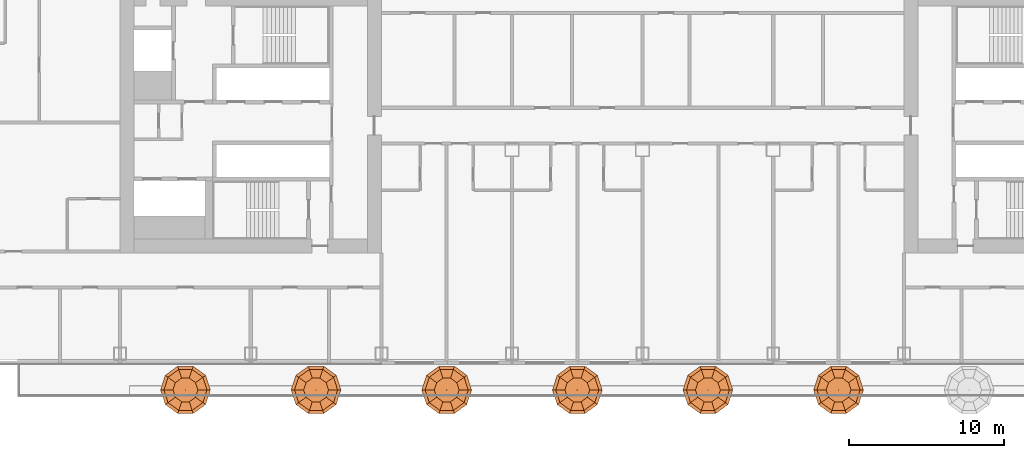
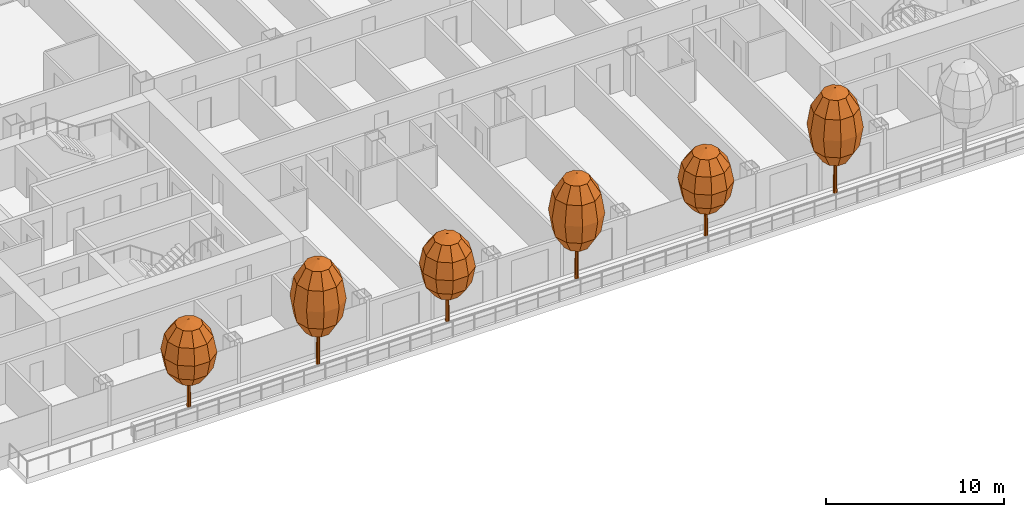
# One storey, part 32 of 34: 6 geographic elements.
"""IFC4 building model written with IfcOpenShell, lengths in metres."""

from ifc_helpers import new_model, si_unit, direction, frame, origin, place, context, subcontext, project, spatial, triangles, material, type_object, element, save


model = new_model("IFC4")

# Units and contexts
model_context = context("Model", 3, precision=1e-05, world=origin(), true_north=direction((0.0, 1.0)))
body_context = subcontext(model_context, "Body", "Model", "MODEL_VIEW")
ifc_project = project(units=[si_unit("LENGTHUNIT", "METRE"), si_unit("AREAUNIT", "SQUARE_METRE"), si_unit("VOLUMEUNIT", "CUBIC_METRE"), si_unit("PLANEANGLEUNIT", "RADIAN"), si_unit("MASSUNIT", "GRAM", prefix="KILO")], contexts=[model_context])

# Site, building, storey
site_placement = place(None, origin())
site = spatial("IfcSite", under=ifc_project, at=site_placement, CompositionType="ELEMENT")
building_placement = place(site_placement, origin())
building = spatial("IfcBuilding", under=site, at=building_placement, Name="Hakoniwa Tower and Hamabe Station Hall", CompositionType="ELEMENT")
storey_placement = place(building_placement, frame((0.0, 0.0, 94.60009765625)))
storey = spatial("IfcBuildingStorey", under=building, at=storey_placement, Name="L26", CompositionType="ELEMENT", Elevation=94.60009765625)

# Geographic elements
ifc_material_1 = material(Name="Tree foliage")
geographic_element_type_1 = type_object("IfcGeographicElementType", Name="Japanese maple 7.2 m", PredefinedType="USERDEFINED", material=ifc_material_1)
geographic_element_1_placement = place(storey_placement, frame((-21.0, -17.199951171875, 0.89990234375)))
element("IfcGeographicElement", 1, at=geographic_element_1_placement, inside=storey, type_object=geographic_element_type_1, Name="Japanese maple 7-2 m", ObjectType="TREE", PredefinedType="USERDEFINED", context=body_context, shape_type="Tessellation", body=[
    triangles([(0.125, 0.0, 0.0), (0.08837890625, 0.08837890625, 0.0), (0.0, 0.125, 0.0), (-0.08837890625, 0.08837890625, 0.0), (-0.125, 0.0, 0.0), (-0.08837890625, -0.08837890625, 0.0), (0.0, -0.125, 0.0), (0.08837890625, -0.08837890625, 0.0), (0.074951171875, 0.0, 4.348876953125), (0.052978515625, 0.052978515625, 4.348876953125), (0.0, 0.074951171875, 4.348876953125), (-0.052978515625, 0.052978515625, 4.348876953125), (-0.074951171875, 0.0, 4.348876953125), (-0.052978515625, -0.052978515625, 4.348876953125), (0.0, -0.074951171875, 4.348876953125), (0.052978515625, -0.052978515625, 4.348876953125), (0.0, 0.0, 0.0), (0.0, 0.0, 4.348876953125)], [[1, 2, 10], [1, 10, 9], [17, 2, 1], [18, 9, 10], [2, 3, 11], [2, 11, 10], [17, 3, 2], [18, 10, 11], [3, 4, 12], [3, 12, 11], [17, 4, 3], [18, 11, 12], [4, 5, 13], [4, 13, 12], [17, 5, 4], [18, 12, 13], [5, 6, 14], [5, 14, 13], [17, 6, 5], [18, 13, 14], [6, 7, 15], [6, 15, 14], [17, 7, 6], [18, 14, 15], [7, 8, 16], [7, 16, 15], [17, 8, 7], [18, 15, 16], [8, 1, 9], [8, 9, 16], [17, 1, 8], [18, 16, 9]], closed=True),
    triangles([(0.0, 0.0, 2.015869140625), (0.800048828125, 0.0, 2.36328125), (0.647216796875, 0.47021484375, 2.36328125), (0.247314453125, 0.7607421875, 2.36328125), (-0.247314453125, 0.7607421875, 2.36328125), (-0.647216796875, 0.47021484375, 2.36328125), (-0.800048828125, 0.0, 2.36328125), (-0.647216796875, -0.47021484375, 2.36328125), (-0.247314453125, -0.7607421875, 2.36328125), (0.247314453125, -0.7607421875, 2.36328125), (0.647216796875, -0.47021484375, 2.36328125), (1.385498046875, 0.0, 3.31201171875), (1.12109375, 0.814453125, 3.31201171875), (0.42822265625, 1.31787109375, 3.31201171875), (-0.42822265625, 1.31787109375, 3.31201171875), (-1.12109375, 0.814453125, 3.31201171875), (-1.385498046875, 0.0, 3.31201171875), (-1.12109375, -0.814453125, 3.31201171875), (-0.42822265625, -1.31787109375, 3.31201171875), (0.42822265625, -1.31787109375, 3.31201171875), (1.12109375, -0.814453125, 3.31201171875), (1.60009765625, 0.0, 4.60791015625), (1.29443359375, 0.9404296875, 4.60791015625), (0.494384765625, 1.521728515625, 4.60791015625), (-0.494384765625, 1.521728515625, 4.60791015625), (-1.29443359375, 0.9404296875, 4.60791015625), (-1.60009765625, 0.0, 4.60791015625), (-1.29443359375, -0.9404296875, 4.60791015625), (-0.494384765625, -1.521728515625, 4.60791015625), (0.494384765625, -1.521728515625, 4.60791015625), (1.29443359375, -0.9404296875, 4.60791015625), (1.385498046875, 0.0, 5.904052734375), (1.12109375, 0.814453125, 5.904052734375), (0.42822265625, 1.31787109375, 5.904052734375), (-0.42822265625, 1.31787109375, 5.904052734375), (-1.12109375, 0.814453125, 5.904052734375), (-1.385498046875, 0.0, 5.904052734375), (-1.12109375, -0.814453125, 5.904052734375), (-0.42822265625, -1.31787109375, 5.904052734375), (0.42822265625, -1.31787109375, 5.904052734375), (1.12109375, -0.814453125, 5.904052734375), (0.800048828125, 0.0, 6.852783203125), (0.647216796875, 0.47021484375, 6.852783203125), (0.247314453125, 0.7607421875, 6.852783203125), (-0.247314453125, 0.7607421875, 6.852783203125), (-0.647216796875, 0.47021484375, 6.852783203125), (-0.800048828125, 0.0, 6.852783203125), (-0.647216796875, -0.47021484375, 6.852783203125), (-0.247314453125, -0.7607421875, 6.852783203125), (0.247314453125, -0.7607421875, 6.852783203125), (0.647216796875, -0.47021484375, 6.852783203125), (0.0, 0.0, 7.199951171875)], [[1, 3, 2], [1, 4, 3], [1, 5, 4], [1, 6, 5], [1, 7, 6], [1, 8, 7], [1, 9, 8], [1, 10, 9], [1, 11, 10], [1, 2, 11], [2, 3, 13], [2, 13, 12], [3, 4, 14], [3, 14, 13], [4, 5, 15], [4, 15, 14], [5, 6, 16], [5, 16, 15], [6, 7, 17], [6, 17, 16], [7, 8, 18], [7, 18, 17], [8, 9, 19], [8, 19, 18], [9, 10, 20], [9, 20, 19], [10, 11, 21], [10, 21, 20], [11, 2, 12], [11, 12, 21], [12, 13, 23], [12, 23, 22], [13, 14, 24], [13, 24, 23], [14, 15, 25], [14, 25, 24], [15, 16, 26], [15, 26, 25], [16, 17, 27], [16, 27, 26], [17, 18, 28], [17, 28, 27], [18, 19, 29], [18, 29, 28], [19, 20, 30], [19, 30, 29], [20, 21, 31], [20, 31, 30], [21, 12, 22], [21, 22, 31], [22, 23, 33], [22, 33, 32], [23, 24, 34], [23, 34, 33], [24, 25, 35], [24, 35, 34], [25, 26, 36], [25, 36, 35], [26, 27, 37], [26, 37, 36], [27, 28, 38], [27, 38, 37], [28, 29, 39], [28, 39, 38], [29, 30, 40], [29, 40, 39], [30, 31, 41], [30, 41, 40], [31, 22, 32], [31, 32, 41], [32, 33, 43], [32, 43, 42], [33, 34, 44], [33, 44, 43], [34, 35, 45], [34, 45, 44], [35, 36, 46], [35, 46, 45], [36, 37, 47], [36, 47, 46], [37, 38, 48], [37, 48, 47], [38, 39, 49], [38, 49, 48], [39, 40, 50], [39, 50, 49], [40, 41, 51], [40, 51, 50], [41, 32, 42], [41, 42, 51], [52, 42, 43], [52, 43, 44], [52, 44, 45], [52, 45, 46], [52, 46, 47], [52, 47, 48], [52, 48, 49], [52, 49, 50], [52, 50, 51], [52, 51, 42]], closed=True),
])
geographic_element_2_placement = place(storey_placement, frame((-4.199951171875, -17.199951171875, 0.89990234375)))
element("IfcGeographicElement", 2, at=geographic_element_2_placement, inside=storey, type_object=geographic_element_type_1, Name="Japanese maple 7-2 m", ObjectType="TREE", PredefinedType="USERDEFINED", context=body_context, shape_type="Tessellation", body=[
    triangles([(0.125, 0.0, 0.0), (0.08837890625, 0.08837890625, 0.0), (0.0, 0.125, 0.0), (-0.08837890625, 0.08837890625, 0.0), (-0.125, 0.0, 0.0), (-0.08837890625, -0.08837890625, 0.0), (0.0, -0.125, 0.0), (0.08837890625, -0.08837890625, 0.0), (0.074951171875, 0.0, 4.348876953125), (0.052978515625, 0.052978515625, 4.348876953125), (0.0, 0.074951171875, 4.348876953125), (-0.052978515625, 0.052978515625, 4.348876953125), (-0.074951171875, 0.0, 4.348876953125), (-0.052978515625, -0.052978515625, 4.348876953125), (0.0, -0.074951171875, 4.348876953125), (0.052978515625, -0.052978515625, 4.348876953125), (0.0, 0.0, 0.0), (0.0, 0.0, 4.348876953125)], [[1, 2, 10], [1, 10, 9], [17, 2, 1], [18, 9, 10], [2, 3, 11], [2, 11, 10], [17, 3, 2], [18, 10, 11], [3, 4, 12], [3, 12, 11], [17, 4, 3], [18, 11, 12], [4, 5, 13], [4, 13, 12], [17, 5, 4], [18, 12, 13], [5, 6, 14], [5, 14, 13], [17, 6, 5], [18, 13, 14], [6, 7, 15], [6, 15, 14], [17, 7, 6], [18, 14, 15], [7, 8, 16], [7, 16, 15], [17, 8, 7], [18, 15, 16], [8, 1, 9], [8, 9, 16], [17, 1, 8], [18, 16, 9]], closed=True),
    triangles([(0.0, 0.0, 2.015869140625), (0.800048828125, 0.0, 2.36328125), (0.647216796875, 0.47021484375, 2.36328125), (0.247314453125, 0.7607421875, 2.36328125), (-0.247314453125, 0.7607421875, 2.36328125), (-0.647216796875, 0.47021484375, 2.36328125), (-0.800048828125, 0.0, 2.36328125), (-0.647216796875, -0.47021484375, 2.36328125), (-0.247314453125, -0.7607421875, 2.36328125), (0.247314453125, -0.7607421875, 2.36328125), (0.647216796875, -0.47021484375, 2.36328125), (1.385498046875, 0.0, 3.31201171875), (1.12109375, 0.814453125, 3.31201171875), (0.42822265625, 1.31787109375, 3.31201171875), (-0.42822265625, 1.31787109375, 3.31201171875), (-1.12109375, 0.814453125, 3.31201171875), (-1.385498046875, 0.0, 3.31201171875), (-1.12109375, -0.814453125, 3.31201171875), (-0.42822265625, -1.31787109375, 3.31201171875), (0.42822265625, -1.31787109375, 3.31201171875), (1.12109375, -0.814453125, 3.31201171875), (1.60009765625, 0.0, 4.60791015625), (1.29443359375, 0.9404296875, 4.60791015625), (0.494384765625, 1.521728515625, 4.60791015625), (-0.494384765625, 1.521728515625, 4.60791015625), (-1.29443359375, 0.9404296875, 4.60791015625), (-1.60009765625, 0.0, 4.60791015625), (-1.29443359375, -0.9404296875, 4.60791015625), (-0.494384765625, -1.521728515625, 4.60791015625), (0.494384765625, -1.521728515625, 4.60791015625), (1.29443359375, -0.9404296875, 4.60791015625), (1.385498046875, 0.0, 5.904052734375), (1.12109375, 0.814453125, 5.904052734375), (0.42822265625, 1.31787109375, 5.904052734375), (-0.42822265625, 1.31787109375, 5.904052734375), (-1.12109375, 0.814453125, 5.904052734375), (-1.385498046875, 0.0, 5.904052734375), (-1.12109375, -0.814453125, 5.904052734375), (-0.42822265625, -1.31787109375, 5.904052734375), (0.42822265625, -1.31787109375, 5.904052734375), (1.12109375, -0.814453125, 5.904052734375), (0.800048828125, 0.0, 6.852783203125), (0.647216796875, 0.47021484375, 6.852783203125), (0.247314453125, 0.7607421875, 6.852783203125), (-0.247314453125, 0.7607421875, 6.852783203125), (-0.647216796875, 0.47021484375, 6.852783203125), (-0.800048828125, 0.0, 6.852783203125), (-0.647216796875, -0.47021484375, 6.852783203125), (-0.247314453125, -0.7607421875, 6.852783203125), (0.247314453125, -0.7607421875, 6.852783203125), (0.647216796875, -0.47021484375, 6.852783203125), (0.0, 0.0, 7.199951171875)], [[1, 3, 2], [1, 4, 3], [1, 5, 4], [1, 6, 5], [1, 7, 6], [1, 8, 7], [1, 9, 8], [1, 10, 9], [1, 11, 10], [1, 2, 11], [2, 3, 13], [2, 13, 12], [3, 4, 14], [3, 14, 13], [4, 5, 15], [4, 15, 14], [5, 6, 16], [5, 16, 15], [6, 7, 17], [6, 17, 16], [7, 8, 18], [7, 18, 17], [8, 9, 19], [8, 19, 18], [9, 10, 20], [9, 20, 19], [10, 11, 21], [10, 21, 20], [11, 2, 12], [11, 12, 21], [12, 13, 23], [12, 23, 22], [13, 14, 24], [13, 24, 23], [14, 15, 25], [14, 25, 24], [15, 16, 26], [15, 26, 25], [16, 17, 27], [16, 27, 26], [17, 18, 28], [17, 28, 27], [18, 19, 29], [18, 29, 28], [19, 20, 30], [19, 30, 29], [20, 21, 31], [20, 31, 30], [21, 12, 22], [21, 22, 31], [22, 23, 33], [22, 33, 32], [23, 24, 34], [23, 34, 33], [24, 25, 35], [24, 35, 34], [25, 26, 36], [25, 36, 35], [26, 27, 37], [26, 37, 36], [27, 28, 38], [27, 38, 37], [28, 29, 39], [28, 39, 38], [29, 30, 40], [29, 40, 39], [30, 31, 41], [30, 41, 40], [31, 22, 32], [31, 32, 41], [32, 33, 43], [32, 43, 42], [33, 34, 44], [33, 44, 43], [34, 35, 45], [34, 45, 44], [35, 36, 46], [35, 46, 45], [36, 37, 47], [36, 47, 46], [37, 38, 48], [37, 48, 47], [38, 39, 49], [38, 49, 48], [39, 40, 50], [39, 50, 49], [40, 41, 51], [40, 51, 50], [41, 32, 42], [41, 42, 51], [52, 42, 43], [52, 43, 44], [52, 44, 45], [52, 45, 46], [52, 46, 47], [52, 47, 48], [52, 48, 49], [52, 49, 50], [52, 50, 51], [52, 51, 42]], closed=True),
])
geographic_element_3_placement = place(storey_placement, frame((12.60009765625, -17.199951171875, 0.89990234375)))
element("IfcGeographicElement", 3, at=geographic_element_3_placement, inside=storey, type_object=geographic_element_type_1, Name="Japanese maple 7-2 m", ObjectType="TREE", PredefinedType="USERDEFINED", context=body_context, shape_type="Tessellation", body=[
    triangles([(0.125, 0.0, 0.0), (0.08837890625, 0.08837890625, 0.0), (0.0, 0.125, 0.0), (-0.08837890625, 0.08837890625, 0.0), (-0.125, 0.0, 0.0), (-0.08837890625, -0.08837890625, 0.0), (0.0, -0.125, 0.0), (0.08837890625, -0.08837890625, 0.0), (0.074951171875, 0.0, 4.348876953125), (0.052978515625, 0.052978515625, 4.348876953125), (0.0, 0.074951171875, 4.348876953125), (-0.052978515625, 0.052978515625, 4.348876953125), (-0.074951171875, 0.0, 4.348876953125), (-0.052978515625, -0.052978515625, 4.348876953125), (0.0, -0.074951171875, 4.348876953125), (0.052978515625, -0.052978515625, 4.348876953125), (0.0, 0.0, 0.0), (0.0, 0.0, 4.348876953125)], [[1, 2, 10], [1, 10, 9], [17, 2, 1], [18, 9, 10], [2, 3, 11], [2, 11, 10], [17, 3, 2], [18, 10, 11], [3, 4, 12], [3, 12, 11], [17, 4, 3], [18, 11, 12], [4, 5, 13], [4, 13, 12], [17, 5, 4], [18, 12, 13], [5, 6, 14], [5, 14, 13], [17, 6, 5], [18, 13, 14], [6, 7, 15], [6, 15, 14], [17, 7, 6], [18, 14, 15], [7, 8, 16], [7, 16, 15], [17, 8, 7], [18, 15, 16], [8, 1, 9], [8, 9, 16], [17, 1, 8], [18, 16, 9]], closed=True),
    triangles([(0.0, 0.0, 2.015869140625), (0.800048828125, 0.0, 2.36328125), (0.647216796875, 0.47021484375, 2.36328125), (0.247314453125, 0.7607421875, 2.36328125), (-0.247314453125, 0.7607421875, 2.36328125), (-0.647216796875, 0.47021484375, 2.36328125), (-0.800048828125, 0.0, 2.36328125), (-0.647216796875, -0.47021484375, 2.36328125), (-0.247314453125, -0.7607421875, 2.36328125), (0.247314453125, -0.7607421875, 2.36328125), (0.647216796875, -0.47021484375, 2.36328125), (1.385498046875, 0.0, 3.31201171875), (1.12109375, 0.814453125, 3.31201171875), (0.42822265625, 1.31787109375, 3.31201171875), (-0.42822265625, 1.31787109375, 3.31201171875), (-1.12109375, 0.814453125, 3.31201171875), (-1.385498046875, 0.0, 3.31201171875), (-1.12109375, -0.814453125, 3.31201171875), (-0.42822265625, -1.31787109375, 3.31201171875), (0.42822265625, -1.31787109375, 3.31201171875), (1.12109375, -0.814453125, 3.31201171875), (1.60009765625, 0.0, 4.60791015625), (1.29443359375, 0.9404296875, 4.60791015625), (0.494384765625, 1.521728515625, 4.60791015625), (-0.494384765625, 1.521728515625, 4.60791015625), (-1.29443359375, 0.9404296875, 4.60791015625), (-1.60009765625, 0.0, 4.60791015625), (-1.29443359375, -0.9404296875, 4.60791015625), (-0.494384765625, -1.521728515625, 4.60791015625), (0.494384765625, -1.521728515625, 4.60791015625), (1.29443359375, -0.9404296875, 4.60791015625), (1.385498046875, 0.0, 5.904052734375), (1.12109375, 0.814453125, 5.904052734375), (0.42822265625, 1.31787109375, 5.904052734375), (-0.42822265625, 1.31787109375, 5.904052734375), (-1.12109375, 0.814453125, 5.904052734375), (-1.385498046875, 0.0, 5.904052734375), (-1.12109375, -0.814453125, 5.904052734375), (-0.42822265625, -1.31787109375, 5.904052734375), (0.42822265625, -1.31787109375, 5.904052734375), (1.12109375, -0.814453125, 5.904052734375), (0.800048828125, 0.0, 6.852783203125), (0.647216796875, 0.47021484375, 6.852783203125), (0.247314453125, 0.7607421875, 6.852783203125), (-0.247314453125, 0.7607421875, 6.852783203125), (-0.647216796875, 0.47021484375, 6.852783203125), (-0.800048828125, 0.0, 6.852783203125), (-0.647216796875, -0.47021484375, 6.852783203125), (-0.247314453125, -0.7607421875, 6.852783203125), (0.247314453125, -0.7607421875, 6.852783203125), (0.647216796875, -0.47021484375, 6.852783203125), (0.0, 0.0, 7.199951171875)], [[1, 3, 2], [1, 4, 3], [1, 5, 4], [1, 6, 5], [1, 7, 6], [1, 8, 7], [1, 9, 8], [1, 10, 9], [1, 11, 10], [1, 2, 11], [2, 3, 13], [2, 13, 12], [3, 4, 14], [3, 14, 13], [4, 5, 15], [4, 15, 14], [5, 6, 16], [5, 16, 15], [6, 7, 17], [6, 17, 16], [7, 8, 18], [7, 18, 17], [8, 9, 19], [8, 19, 18], [9, 10, 20], [9, 20, 19], [10, 11, 21], [10, 21, 20], [11, 2, 12], [11, 12, 21], [12, 13, 23], [12, 23, 22], [13, 14, 24], [13, 24, 23], [14, 15, 25], [14, 25, 24], [15, 16, 26], [15, 26, 25], [16, 17, 27], [16, 27, 26], [17, 18, 28], [17, 28, 27], [18, 19, 29], [18, 29, 28], [19, 20, 30], [19, 30, 29], [20, 21, 31], [20, 31, 30], [21, 12, 22], [21, 22, 31], [22, 23, 33], [22, 33, 32], [23, 24, 34], [23, 34, 33], [24, 25, 35], [24, 35, 34], [25, 26, 36], [25, 36, 35], [26, 27, 37], [26, 37, 36], [27, 28, 38], [27, 38, 37], [28, 29, 39], [28, 39, 38], [29, 30, 40], [29, 40, 39], [30, 31, 41], [30, 41, 40], [31, 22, 32], [31, 32, 41], [32, 33, 43], [32, 43, 42], [33, 34, 44], [33, 44, 43], [34, 35, 45], [34, 45, 44], [35, 36, 46], [35, 46, 45], [36, 37, 47], [36, 47, 46], [37, 38, 48], [37, 48, 47], [38, 39, 49], [38, 49, 48], [39, 40, 50], [39, 50, 49], [40, 41, 51], [40, 51, 50], [41, 32, 42], [41, 42, 51], [52, 42, 43], [52, 43, 44], [52, 44, 45], [52, 45, 46], [52, 46, 47], [52, 47, 48], [52, 48, 49], [52, 49, 50], [52, 50, 51], [52, 51, 42]], closed=True),
])
ifc_material_2 = material(Name="Tree foliage")
geographic_element_type_2 = type_object("IfcGeographicElementType", Name="Osmanthus 6.0 m", PredefinedType="USERDEFINED", material=ifc_material_2)
geographic_element_4_placement = place(storey_placement, frame((-29.39990234375, -17.199951171875, 0.89990234375)))
element("IfcGeographicElement", 4, at=geographic_element_4_placement, inside=storey, type_object=geographic_element_type_2, Name="Osmanthus 6-0 m", ObjectType="TREE", PredefinedType="USERDEFINED", context=body_context, shape_type="Tessellation", body=[
    triangles([(0.125, 0.0, 0.0), (0.08837890625, 0.08837890625, 0.0), (0.0, 0.125, 0.0), (-0.08837890625, 0.08837890625, 0.0), (-0.125, 0.0, 0.0), (-0.08837890625, -0.08837890625, 0.0), (0.0, -0.125, 0.0), (0.08837890625, -0.08837890625, 0.0), (0.074951171875, 0.0, 3.6240234375), (0.052978515625, 0.052978515625, 3.6240234375), (0.0, 0.074951171875, 3.6240234375), (-0.052978515625, 0.052978515625, 3.6240234375), (-0.074951171875, 0.0, 3.6240234375), (-0.052978515625, -0.052978515625, 3.6240234375), (0.0, -0.074951171875, 3.6240234375), (0.052978515625, -0.052978515625, 3.6240234375), (0.0, 0.0, 0.0), (0.0, 0.0, 3.6240234375)], [[1, 2, 10], [1, 10, 9], [17, 2, 1], [18, 9, 10], [2, 3, 11], [2, 11, 10], [17, 3, 2], [18, 10, 11], [3, 4, 12], [3, 12, 11], [17, 4, 3], [18, 11, 12], [4, 5, 13], [4, 13, 12], [17, 5, 4], [18, 12, 13], [5, 6, 14], [5, 14, 13], [17, 6, 5], [18, 13, 14], [6, 7, 15], [6, 15, 14], [17, 7, 6], [18, 14, 15], [7, 8, 16], [7, 16, 15], [17, 8, 7], [18, 15, 16], [8, 1, 9], [8, 9, 16], [17, 1, 8], [18, 16, 9]], closed=True),
    triangles([(0.0, 0.0, 1.679931640625), (0.800048828125, 0.0, 1.969482421875), (0.647216796875, 0.47021484375, 1.969482421875), (0.247314453125, 0.7607421875, 1.969482421875), (-0.247314453125, 0.7607421875, 1.969482421875), (-0.647216796875, 0.47021484375, 1.969482421875), (-0.800048828125, 0.0, 1.969482421875), (-0.647216796875, -0.47021484375, 1.969482421875), (-0.247314453125, -0.7607421875, 1.969482421875), (0.247314453125, -0.7607421875, 1.969482421875), (0.647216796875, -0.47021484375, 1.969482421875), (1.385498046875, 0.0, 2.760009765625), (1.12109375, 0.814453125, 2.760009765625), (0.42822265625, 1.31787109375, 2.760009765625), (-0.42822265625, 1.31787109375, 2.760009765625), (-1.12109375, 0.814453125, 2.760009765625), (-1.385498046875, 0.0, 2.760009765625), (-1.12109375, -0.814453125, 2.760009765625), (-0.42822265625, -1.31787109375, 2.760009765625), (0.42822265625, -1.31787109375, 2.760009765625), (1.12109375, -0.814453125, 2.760009765625), (1.60009765625, 0.0, 3.840087890625), (1.29443359375, 0.9404296875, 3.840087890625), (0.494384765625, 1.521728515625, 3.840087890625), (-0.494384765625, 1.521728515625, 3.840087890625), (-1.29443359375, 0.9404296875, 3.840087890625), (-1.60009765625, 0.0, 3.840087890625), (-1.29443359375, -0.9404296875, 3.840087890625), (-0.494384765625, -1.521728515625, 3.840087890625), (0.494384765625, -1.521728515625, 3.840087890625), (1.29443359375, -0.9404296875, 3.840087890625), (1.385498046875, 0.0, 4.919921875), (1.12109375, 0.814453125, 4.919921875), (0.42822265625, 1.31787109375, 4.919921875), (-0.42822265625, 1.31787109375, 4.919921875), (-1.12109375, 0.814453125, 4.919921875), (-1.385498046875, 0.0, 4.919921875), (-1.12109375, -0.814453125, 4.919921875), (-0.42822265625, -1.31787109375, 4.919921875), (0.42822265625, -1.31787109375, 4.919921875), (1.12109375, -0.814453125, 4.919921875), (0.800048828125, 0.0, 5.710693359375), (0.647216796875, 0.47021484375, 5.710693359375), (0.247314453125, 0.7607421875, 5.710693359375), (-0.247314453125, 0.7607421875, 5.710693359375), (-0.647216796875, 0.47021484375, 5.710693359375), (-0.800048828125, 0.0, 5.710693359375), (-0.647216796875, -0.47021484375, 5.710693359375), (-0.247314453125, -0.7607421875, 5.710693359375), (0.247314453125, -0.7607421875, 5.710693359375), (0.647216796875, -0.47021484375, 5.710693359375), (0.0, 0.0, 6.0)], [[1, 3, 2], [1, 4, 3], [1, 5, 4], [1, 6, 5], [1, 7, 6], [1, 8, 7], [1, 9, 8], [1, 10, 9], [1, 11, 10], [1, 2, 11], [2, 3, 13], [2, 13, 12], [3, 4, 14], [3, 14, 13], [4, 5, 15], [4, 15, 14], [5, 6, 16], [5, 16, 15], [6, 7, 17], [6, 17, 16], [7, 8, 18], [7, 18, 17], [8, 9, 19], [8, 19, 18], [9, 10, 20], [9, 20, 19], [10, 11, 21], [10, 21, 20], [11, 2, 12], [11, 12, 21], [12, 13, 23], [12, 23, 22], [13, 14, 24], [13, 24, 23], [14, 15, 25], [14, 25, 24], [15, 16, 26], [15, 26, 25], [16, 17, 27], [16, 27, 26], [17, 18, 28], [17, 28, 27], [18, 19, 29], [18, 29, 28], [19, 20, 30], [19, 30, 29], [20, 21, 31], [20, 31, 30], [21, 12, 22], [21, 22, 31], [22, 23, 33], [22, 33, 32], [23, 24, 34], [23, 34, 33], [24, 25, 35], [24, 35, 34], [25, 26, 36], [25, 36, 35], [26, 27, 37], [26, 37, 36], [27, 28, 38], [27, 38, 37], [28, 29, 39], [28, 39, 38], [29, 30, 40], [29, 40, 39], [30, 31, 41], [30, 41, 40], [31, 22, 32], [31, 32, 41], [32, 33, 43], [32, 43, 42], [33, 34, 44], [33, 44, 43], [34, 35, 45], [34, 45, 44], [35, 36, 46], [35, 46, 45], [36, 37, 47], [36, 47, 46], [37, 38, 48], [37, 48, 47], [38, 39, 49], [38, 49, 48], [39, 40, 50], [39, 50, 49], [40, 41, 51], [40, 51, 50], [41, 32, 42], [41, 42, 51], [52, 42, 43], [52, 43, 44], [52, 44, 45], [52, 45, 46], [52, 46, 47], [52, 47, 48], [52, 48, 49], [52, 49, 50], [52, 50, 51], [52, 51, 42]], closed=True),
])
geographic_element_5_placement = place(storey_placement, frame((-12.60009765625, -17.199951171875, 0.89990234375)))
element("IfcGeographicElement", 5, at=geographic_element_5_placement, inside=storey, type_object=geographic_element_type_2, Name="Osmanthus 6-0 m", ObjectType="TREE", PredefinedType="USERDEFINED", context=body_context, shape_type="Tessellation", body=[
    triangles([(0.125, 0.0, 0.0), (0.08837890625, 0.08837890625, 0.0), (0.0, 0.125, 0.0), (-0.08837890625, 0.08837890625, 0.0), (-0.125, 0.0, 0.0), (-0.08837890625, -0.08837890625, 0.0), (0.0, -0.125, 0.0), (0.08837890625, -0.08837890625, 0.0), (0.074951171875, 0.0, 3.6240234375), (0.052978515625, 0.052978515625, 3.6240234375), (0.0, 0.074951171875, 3.6240234375), (-0.052978515625, 0.052978515625, 3.6240234375), (-0.074951171875, 0.0, 3.6240234375), (-0.052978515625, -0.052978515625, 3.6240234375), (0.0, -0.074951171875, 3.6240234375), (0.052978515625, -0.052978515625, 3.6240234375), (0.0, 0.0, 0.0), (0.0, 0.0, 3.6240234375)], [[1, 2, 10], [1, 10, 9], [17, 2, 1], [18, 9, 10], [2, 3, 11], [2, 11, 10], [17, 3, 2], [18, 10, 11], [3, 4, 12], [3, 12, 11], [17, 4, 3], [18, 11, 12], [4, 5, 13], [4, 13, 12], [17, 5, 4], [18, 12, 13], [5, 6, 14], [5, 14, 13], [17, 6, 5], [18, 13, 14], [6, 7, 15], [6, 15, 14], [17, 7, 6], [18, 14, 15], [7, 8, 16], [7, 16, 15], [17, 8, 7], [18, 15, 16], [8, 1, 9], [8, 9, 16], [17, 1, 8], [18, 16, 9]], closed=True),
    triangles([(0.0, 0.0, 1.679931640625), (0.800048828125, 0.0, 1.969482421875), (0.647216796875, 0.47021484375, 1.969482421875), (0.247314453125, 0.7607421875, 1.969482421875), (-0.247314453125, 0.7607421875, 1.969482421875), (-0.647216796875, 0.47021484375, 1.969482421875), (-0.800048828125, 0.0, 1.969482421875), (-0.647216796875, -0.47021484375, 1.969482421875), (-0.247314453125, -0.7607421875, 1.969482421875), (0.247314453125, -0.7607421875, 1.969482421875), (0.647216796875, -0.47021484375, 1.969482421875), (1.385498046875, 0.0, 2.760009765625), (1.12109375, 0.814453125, 2.760009765625), (0.42822265625, 1.31787109375, 2.760009765625), (-0.42822265625, 1.31787109375, 2.760009765625), (-1.12109375, 0.814453125, 2.760009765625), (-1.385498046875, 0.0, 2.760009765625), (-1.12109375, -0.814453125, 2.760009765625), (-0.42822265625, -1.31787109375, 2.760009765625), (0.42822265625, -1.31787109375, 2.760009765625), (1.12109375, -0.814453125, 2.760009765625), (1.60009765625, 0.0, 3.840087890625), (1.29443359375, 0.9404296875, 3.840087890625), (0.494384765625, 1.521728515625, 3.840087890625), (-0.494384765625, 1.521728515625, 3.840087890625), (-1.29443359375, 0.9404296875, 3.840087890625), (-1.60009765625, 0.0, 3.840087890625), (-1.29443359375, -0.9404296875, 3.840087890625), (-0.494384765625, -1.521728515625, 3.840087890625), (0.494384765625, -1.521728515625, 3.840087890625), (1.29443359375, -0.9404296875, 3.840087890625), (1.385498046875, 0.0, 4.919921875), (1.12109375, 0.814453125, 4.919921875), (0.42822265625, 1.31787109375, 4.919921875), (-0.42822265625, 1.31787109375, 4.919921875), (-1.12109375, 0.814453125, 4.919921875), (-1.385498046875, 0.0, 4.919921875), (-1.12109375, -0.814453125, 4.919921875), (-0.42822265625, -1.31787109375, 4.919921875), (0.42822265625, -1.31787109375, 4.919921875), (1.12109375, -0.814453125, 4.919921875), (0.800048828125, 0.0, 5.710693359375), (0.647216796875, 0.47021484375, 5.710693359375), (0.247314453125, 0.7607421875, 5.710693359375), (-0.247314453125, 0.7607421875, 5.710693359375), (-0.647216796875, 0.47021484375, 5.710693359375), (-0.800048828125, 0.0, 5.710693359375), (-0.647216796875, -0.47021484375, 5.710693359375), (-0.247314453125, -0.7607421875, 5.710693359375), (0.247314453125, -0.7607421875, 5.710693359375), (0.647216796875, -0.47021484375, 5.710693359375), (0.0, 0.0, 6.0)], [[1, 3, 2], [1, 4, 3], [1, 5, 4], [1, 6, 5], [1, 7, 6], [1, 8, 7], [1, 9, 8], [1, 10, 9], [1, 11, 10], [1, 2, 11], [2, 3, 13], [2, 13, 12], [3, 4, 14], [3, 14, 13], [4, 5, 15], [4, 15, 14], [5, 6, 16], [5, 16, 15], [6, 7, 17], [6, 17, 16], [7, 8, 18], [7, 18, 17], [8, 9, 19], [8, 19, 18], [9, 10, 20], [9, 20, 19], [10, 11, 21], [10, 21, 20], [11, 2, 12], [11, 12, 21], [12, 13, 23], [12, 23, 22], [13, 14, 24], [13, 24, 23], [14, 15, 25], [14, 25, 24], [15, 16, 26], [15, 26, 25], [16, 17, 27], [16, 27, 26], [17, 18, 28], [17, 28, 27], [18, 19, 29], [18, 29, 28], [19, 20, 30], [19, 30, 29], [20, 21, 31], [20, 31, 30], [21, 12, 22], [21, 22, 31], [22, 23, 33], [22, 33, 32], [23, 24, 34], [23, 34, 33], [24, 25, 35], [24, 35, 34], [25, 26, 36], [25, 36, 35], [26, 27, 37], [26, 37, 36], [27, 28, 38], [27, 38, 37], [28, 29, 39], [28, 39, 38], [29, 30, 40], [29, 40, 39], [30, 31, 41], [30, 41, 40], [31, 22, 32], [31, 32, 41], [32, 33, 43], [32, 43, 42], [33, 34, 44], [33, 44, 43], [34, 35, 45], [34, 45, 44], [35, 36, 46], [35, 46, 45], [36, 37, 47], [36, 47, 46], [37, 38, 48], [37, 48, 47], [38, 39, 49], [38, 49, 48], [39, 40, 50], [39, 50, 49], [40, 41, 51], [40, 51, 50], [41, 32, 42], [41, 42, 51], [52, 42, 43], [52, 43, 44], [52, 44, 45], [52, 45, 46], [52, 46, 47], [52, 47, 48], [52, 48, 49], [52, 49, 50], [52, 50, 51], [52, 51, 42]], closed=True),
])
geographic_element_6_placement = place(storey_placement, frame((4.199951171875, -17.199951171875, 0.89990234375)))
element("IfcGeographicElement", 6, at=geographic_element_6_placement, inside=storey, type_object=geographic_element_type_2, Name="Osmanthus 6-0 m", ObjectType="TREE", PredefinedType="USERDEFINED", context=body_context, shape_type="Tessellation", body=[
    triangles([(0.125, 0.0, 0.0), (0.08837890625, 0.08837890625, 0.0), (0.0, 0.125, 0.0), (-0.08837890625, 0.08837890625, 0.0), (-0.125, 0.0, 0.0), (-0.08837890625, -0.08837890625, 0.0), (0.0, -0.125, 0.0), (0.08837890625, -0.08837890625, 0.0), (0.074951171875, 0.0, 3.6240234375), (0.052978515625, 0.052978515625, 3.6240234375), (0.0, 0.074951171875, 3.6240234375), (-0.052978515625, 0.052978515625, 3.6240234375), (-0.074951171875, 0.0, 3.6240234375), (-0.052978515625, -0.052978515625, 3.6240234375), (0.0, -0.074951171875, 3.6240234375), (0.052978515625, -0.052978515625, 3.6240234375), (0.0, 0.0, 0.0), (0.0, 0.0, 3.6240234375)], [[1, 2, 10], [1, 10, 9], [17, 2, 1], [18, 9, 10], [2, 3, 11], [2, 11, 10], [17, 3, 2], [18, 10, 11], [3, 4, 12], [3, 12, 11], [17, 4, 3], [18, 11, 12], [4, 5, 13], [4, 13, 12], [17, 5, 4], [18, 12, 13], [5, 6, 14], [5, 14, 13], [17, 6, 5], [18, 13, 14], [6, 7, 15], [6, 15, 14], [17, 7, 6], [18, 14, 15], [7, 8, 16], [7, 16, 15], [17, 8, 7], [18, 15, 16], [8, 1, 9], [8, 9, 16], [17, 1, 8], [18, 16, 9]], closed=True),
    triangles([(0.0, 0.0, 1.679931640625), (0.800048828125, 0.0, 1.969482421875), (0.647216796875, 0.47021484375, 1.969482421875), (0.247314453125, 0.7607421875, 1.969482421875), (-0.247314453125, 0.7607421875, 1.969482421875), (-0.647216796875, 0.47021484375, 1.969482421875), (-0.800048828125, 0.0, 1.969482421875), (-0.647216796875, -0.47021484375, 1.969482421875), (-0.247314453125, -0.7607421875, 1.969482421875), (0.247314453125, -0.7607421875, 1.969482421875), (0.647216796875, -0.47021484375, 1.969482421875), (1.385498046875, 0.0, 2.760009765625), (1.12109375, 0.814453125, 2.760009765625), (0.42822265625, 1.31787109375, 2.760009765625), (-0.42822265625, 1.31787109375, 2.760009765625), (-1.12109375, 0.814453125, 2.760009765625), (-1.385498046875, 0.0, 2.760009765625), (-1.12109375, -0.814453125, 2.760009765625), (-0.42822265625, -1.31787109375, 2.760009765625), (0.42822265625, -1.31787109375, 2.760009765625), (1.12109375, -0.814453125, 2.760009765625), (1.60009765625, 0.0, 3.840087890625), (1.29443359375, 0.9404296875, 3.840087890625), (0.494384765625, 1.521728515625, 3.840087890625), (-0.494384765625, 1.521728515625, 3.840087890625), (-1.29443359375, 0.9404296875, 3.840087890625), (-1.60009765625, 0.0, 3.840087890625), (-1.29443359375, -0.9404296875, 3.840087890625), (-0.494384765625, -1.521728515625, 3.840087890625), (0.494384765625, -1.521728515625, 3.840087890625), (1.29443359375, -0.9404296875, 3.840087890625), (1.385498046875, 0.0, 4.919921875), (1.12109375, 0.814453125, 4.919921875), (0.42822265625, 1.31787109375, 4.919921875), (-0.42822265625, 1.31787109375, 4.919921875), (-1.12109375, 0.814453125, 4.919921875), (-1.385498046875, 0.0, 4.919921875), (-1.12109375, -0.814453125, 4.919921875), (-0.42822265625, -1.31787109375, 4.919921875), (0.42822265625, -1.31787109375, 4.919921875), (1.12109375, -0.814453125, 4.919921875), (0.800048828125, 0.0, 5.710693359375), (0.647216796875, 0.47021484375, 5.710693359375), (0.247314453125, 0.7607421875, 5.710693359375), (-0.247314453125, 0.7607421875, 5.710693359375), (-0.647216796875, 0.47021484375, 5.710693359375), (-0.800048828125, 0.0, 5.710693359375), (-0.647216796875, -0.47021484375, 5.710693359375), (-0.247314453125, -0.7607421875, 5.710693359375), (0.247314453125, -0.7607421875, 5.710693359375), (0.647216796875, -0.47021484375, 5.710693359375), (0.0, 0.0, 6.0)], [[1, 3, 2], [1, 4, 3], [1, 5, 4], [1, 6, 5], [1, 7, 6], [1, 8, 7], [1, 9, 8], [1, 10, 9], [1, 11, 10], [1, 2, 11], [2, 3, 13], [2, 13, 12], [3, 4, 14], [3, 14, 13], [4, 5, 15], [4, 15, 14], [5, 6, 16], [5, 16, 15], [6, 7, 17], [6, 17, 16], [7, 8, 18], [7, 18, 17], [8, 9, 19], [8, 19, 18], [9, 10, 20], [9, 20, 19], [10, 11, 21], [10, 21, 20], [11, 2, 12], [11, 12, 21], [12, 13, 23], [12, 23, 22], [13, 14, 24], [13, 24, 23], [14, 15, 25], [14, 25, 24], [15, 16, 26], [15, 26, 25], [16, 17, 27], [16, 27, 26], [17, 18, 28], [17, 28, 27], [18, 19, 29], [18, 29, 28], [19, 20, 30], [19, 30, 29], [20, 21, 31], [20, 31, 30], [21, 12, 22], [21, 22, 31], [22, 23, 33], [22, 33, 32], [23, 24, 34], [23, 34, 33], [24, 25, 35], [24, 35, 34], [25, 26, 36], [25, 36, 35], [26, 27, 37], [26, 37, 36], [27, 28, 38], [27, 38, 37], [28, 29, 39], [28, 39, 38], [29, 30, 40], [29, 40, 39], [30, 31, 41], [30, 41, 40], [31, 22, 32], [31, 32, 41], [32, 33, 43], [32, 43, 42], [33, 34, 44], [33, 44, 43], [34, 35, 45], [34, 45, 44], [35, 36, 46], [35, 46, 45], [36, 37, 47], [36, 47, 46], [37, 38, 48], [37, 48, 47], [38, 39, 49], [38, 49, 48], [39, 40, 50], [39, 50, 49], [40, 41, 51], [40, 51, 50], [41, 32, 42], [41, 42, 51], [52, 42, 43], [52, 43, 44], [52, 44, 45], [52, 45, 46], [52, 46, 47], [52, 47, 48], [52, 48, 49], [52, 49, 50], [52, 50, 51], [52, 51, 42]], closed=True),
])

save(model, "model.ifc")
